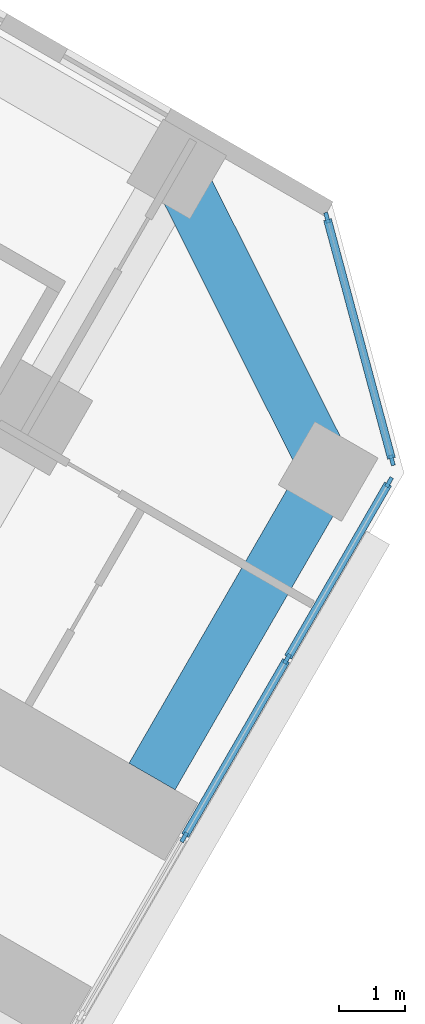
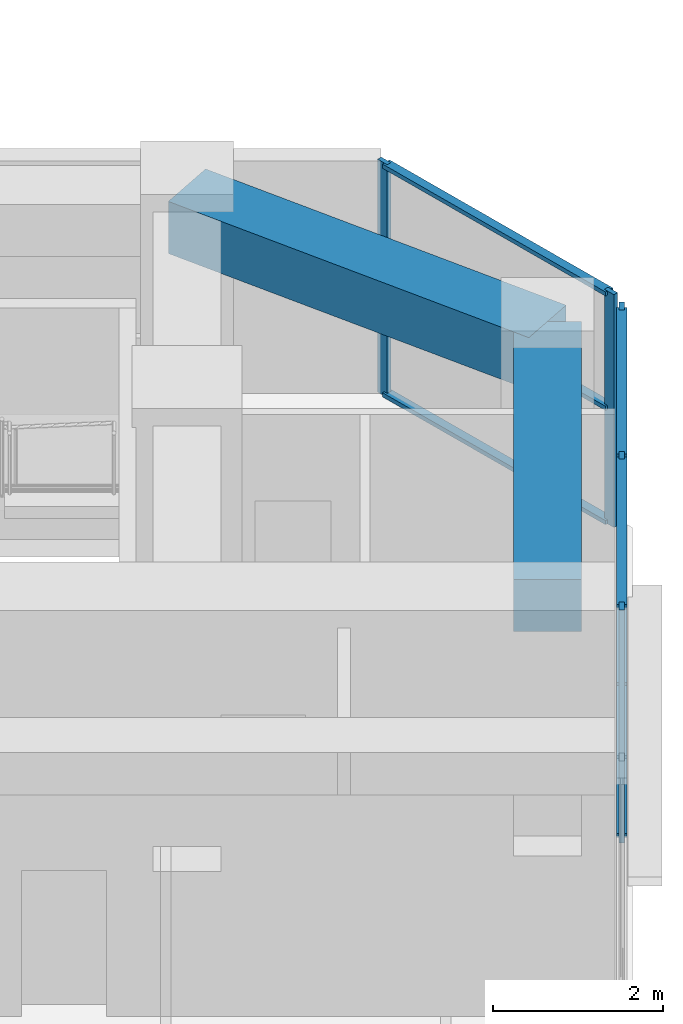
# One storey, part 8 of 21: 12 members, 2 beams, 2 elements without a shape of their own.
"""IFC4 building model written with IfcOpenShell, lengths in metres."""

from ifc_helpers import new_model, si_unit, direction, frame, origin, origin_2d, place, context, subcontext, project, spatial, rectangle, extrude, material, material_profile, profile_set, type_object, element, aggregate, save


model = new_model("IFC4")

# Units and contexts
model_context = context("Model", 3, precision=1e-05, world=origin(), true_north=direction((0.0, 1.0)))
body_context = subcontext(model_context, "Body", "Model", "MODEL_VIEW")
ifc_project = project(units=[si_unit("LENGTHUNIT", "METRE"), si_unit("AREAUNIT", "SQUARE_METRE"), si_unit("VOLUMEUNIT", "CUBIC_METRE"), si_unit("PLANEANGLEUNIT", "RADIAN"), si_unit("MASSUNIT", "GRAM", prefix="KILO")], contexts=[model_context])

# Site, building, storey
site_placement = place(None, origin())
site = spatial("IfcSite", under=ifc_project, at=site_placement, CompositionType="ELEMENT")
building_placement = place(site_placement, origin())
building = spatial("IfcBuilding", under=site, at=building_placement, Name="Kosmar Iwan School Tower", CompositionType="ELEMENT")
storey_placement = place(building_placement, frame((0.0, 0.0, 43.0)))
storey = spatial("IfcBuildingStorey", under=building, at=storey_placement, Name="L09", CompositionType="ELEMENT", Elevation=43.0)

# Curtain wall, members
ifc_material_1 = material(Name="Dark glass in black aluminium frame", Category="aluminium")
curtain_wall_type_1 = type_object("IfcCurtainWallType", Name="Tower curtain wall dark glass", PredefinedType="USERDEFINED", material=ifc_material_1)
curtain_wall_1_placement = place(storey_placement, origin())
curtain_wall_1 = element("IfcCurtainWall", 1, at=curtain_wall_1_placement, inside=storey, type_object=curtain_wall_type_1, Name="Curtain wall L09-F03", ObjectType="UNITISED CURTAIN WALL", PredefinedType="USERDEFINED")
ifc_material_2 = material(Name="Black anodised aluminium", Category="aluminium")
ifc_material_profile_1 = material_profile(ifc_material_2, rectangle(XDim=0.06005859375, YDim=0.159912109375, at=origin_2d()), Name="MULLION 60x160")
ifc_profile_set_1 = profile_set([ifc_material_profile_1], Name="Black anodised aluminium")
member_type_1 = type_object("IfcMemberType", Name="Mullion 60x160", PredefinedType="MULLION", material=ifc_profile_set_1)
member_1_placement = place(storey_placement, frame((30.631103515625, -15.8955078125, 0.0), z_axis=(0.0, 0.0, 1.0), x_axis=(-0.866025405329, 0.499999997325, 0.0)))
member_1 = element("IfcMember", 2, at=member_1_placement, type_object=member_type_1, Name="CW1 mullion 4", PredefinedType="MULLION", context=body_context, shape_type="SweptSolid", body=[
    extrude(rectangle(XDim=0.06005859375, YDim=0.159912109375, at=origin_2d()), origin(), (0.0, 0.0, 1.0), 3.35009765625),
])
member_2_placement = place(storey_placement, frame((32.1806640625, -13.21142578125, 0.0), z_axis=(0.0, 0.0, 1.0), x_axis=(-0.866025405329, 0.499999997325, 0.0)))
member_2 = element("IfcMember", 3, at=member_2_placement, type_object=member_type_1, Name="CW1 mullion 5", PredefinedType="MULLION", context=body_context, shape_type="SweptSolid", body=[
    extrude(rectangle(XDim=0.06005859375, YDim=0.159912109375, at=origin_2d()), origin(), (0.0, 0.0, 1.0), 3.35009765625),
])
member_3_placement = place(storey_placement, frame((33.71533203125, -10.55322265625, 0.0), z_axis=(0.0, 0.0, 1.0), x_axis=(-0.866025405329, 0.499999997325, 0.0)))
member_3 = element("IfcMember", 4, at=member_3_placement, type_object=member_type_1, Name="CW1 mullion 6", PredefinedType="MULLION", context=body_context, shape_type="SweptSolid", body=[
    extrude(rectangle(XDim=0.06005859375, YDim=0.159912109375, at=origin_2d()), origin(), (0.0, 0.0, 1.0), 3.35009765625),
])

ifc_material_3 = material(Name="Dark glass in black aluminium frame", Category="aluminium")
curtain_wall_type_2 = type_object("IfcCurtainWallType", Name="Chamfer curtain wall dark glass", PredefinedType="USERDEFINED", material=ifc_material_3)
curtain_wall_2_placement = place(storey_placement, origin())
curtain_wall_2 = element("IfcCurtainWall", 5, at=curtain_wall_2_placement, inside=storey, type_object=curtain_wall_type_2, Name="Curtain wall L09-F04", ObjectType="FACETED CURTAIN WALL", PredefinedType="USERDEFINED")
member_4_placement = place(storey_placement, frame((33.7587890625, -10.2236328125, 0.0), z_axis=(0.0, 0.0, 1.0), x_axis=(-0.965925875495, -0.258818861462, 0.0)))
member_4 = element("IfcMember", 6, at=member_4_placement, type_object=member_type_1, Name="CW2 mullion 1", PredefinedType="MULLION", context=body_context, shape_type="SweptSolid", body=[
    extrude(rectangle(XDim=0.06005859375, YDim=0.159912109375, at=origin_2d()), origin(), (0.0, 0.0, 1.0), 3.35009765625),
])
member_5_placement = place(storey_placement, frame((32.78076171875, -6.5732421875, 0.0), z_axis=(0.0, 0.0, 1.0), x_axis=(-0.965925875495, -0.258818861462, 0.0)))
member_5 = element("IfcMember", 7, at=member_5_placement, type_object=member_type_1, Name="CW2 mullion 2", PredefinedType="MULLION", context=body_context, shape_type="SweptSolid", body=[
    extrude(rectangle(XDim=0.06005859375, YDim=0.159912109375, at=origin_2d()), origin(), (0.0, 0.0, 1.0), 3.35009765625),
])

# Beams
ifc_material_4 = material(Name="Concrete C50/60", Category="concrete")
ifc_material_profile_2 = material_profile(ifc_material_4, rectangle(XDim=0.800048828125, YDim=0.75, at=origin_2d()), Name="RC 800x750")
ifc_profile_set_2 = profile_set([ifc_material_profile_2], Name="Concrete C50/60")
beam_type = type_object("IfcBeamType", Name="RC tip beam 800x750", PredefinedType="BEAM", material=ifc_profile_set_2)
beam_1_placement = place(storey_placement, frame((30.517822265625, -5.841552734375, 2.97509765625), z_axis=(0.44809604203, -0.893985423325, 0.0), x_axis=(0.893985423325, 0.44809604203, 0.0)))
element("IfcBeam", 8, at=beam_1_placement, inside=storey, type_object=beam_type, Name="Tip beam CL", PredefinedType="BEAM", context=body_context, shape_type="SweptSolid", body=[
    extrude(rectangle(XDim=0.800048828125, YDim=0.75, at=origin_2d()), origin(), (0.0, 0.0, 1.0), 5.08935546875),
])
beam_2_placement = place(storey_placement, frame((32.79833984375, -10.391357421875, 2.97509765625), z_axis=(-0.499973660256, -0.866040610509, 0.0), x_axis=(0.866040610509, -0.499973660256, 0.0)))
element("IfcBeam", 9, at=beam_2_placement, inside=storey, type_object=beam_type, Name="Tip beam CL to corridor wall", PredefinedType="BEAM", context=body_context, shape_type="SweptSolid", body=[
    extrude(rectangle(XDim=0.800048828125, YDim=0.75, at=origin_2d()), origin(), (0.0, 0.0, 1.0), 5.300048828125),
])

# Member
ifc_material_5 = material(Name="Black anodised aluminium", Category="aluminium")
ifc_material_profile_3 = material_profile(ifc_material_5, rectangle(XDim=0.1201171875, YDim=0.06005859375, at=origin_2d()), Name="TRANSOM 60x120")
ifc_profile_set_3 = profile_set([ifc_material_profile_3], Name="Black anodised aluminium")
member_type_2 = type_object("IfcMemberType", Name="Transom 60x120", PredefinedType="USERDEFINED", material=ifc_profile_set_3)
member_6_placement = place(storey_placement, frame((30.64599609375, -15.869384765625, 0.030029296875), z_axis=(0.500035348339, 0.866004994449, 0.0), x_axis=(-0.866004994449, 0.500035348339, 0.0)))
member_6 = element("IfcMember", 10, at=member_6_placement, type_object=member_type_2, Name="CW1 transom 4.1", ObjectType="TRANSOM", PredefinedType="USERDEFINED", context=body_context, shape_type="SweptSolid", body=[
    extrude(rectangle(XDim=0.1201171875, YDim=0.06005859375, at=origin_2d()), origin(), (0.0, 0.0, 1.0), 3.039306640625),
])

member_7_placement = place(storey_placement, frame((30.64599609375, -15.869384765625, 3.320068359375), z_axis=(0.500035348339, 0.866004994449, 0.0), x_axis=(-0.866004994449, 0.500035348339, 0.0)))
member_7 = element("IfcMember", 11, at=member_7_placement, type_object=member_type_2, Name="CW1 transom 4.2", ObjectType="TRANSOM", PredefinedType="USERDEFINED", context=body_context, shape_type="SweptSolid", body=[
    extrude(rectangle(XDim=0.1201171875, YDim=0.06005859375, at=origin_2d()), origin(), (0.0, 0.0, 1.0), 3.039306640625),
])

member_8_placement = place(storey_placement, frame((32.19580078125, -13.185302734375, 0.030029296875), z_axis=(0.500022102064, 0.866012642776, 0.0), x_axis=(-0.866012642776, 0.500022102064, 0.0)))
member_8 = element("IfcMember", 12, at=member_8_placement, type_object=member_type_2, Name="CW1 transom 5.1", ObjectType="TRANSOM", PredefinedType="USERDEFINED", context=body_context, shape_type="SweptSolid", body=[
    extrude(rectangle(XDim=0.1201171875, YDim=0.06005859375, at=origin_2d()), origin(), (0.0, 0.0, 1.0), 3.009033203125),
])

member_9_placement = place(storey_placement, frame((32.19580078125, -13.185302734375, 3.320068359375), z_axis=(0.500022102064, 0.866012642776, 0.0), x_axis=(-0.866012642776, 0.500022102064, 0.0)))
member_9 = element("IfcMember", 13, at=member_9_placement, type_object=member_type_2, Name="CW1 transom 5.2", ObjectType="TRANSOM", PredefinedType="USERDEFINED", context=body_context, shape_type="SweptSolid", body=[
    extrude(rectangle(XDim=0.1201171875, YDim=0.06005859375, at=origin_2d()), origin(), (0.0, 0.0, 1.0), 3.009033203125),
])

aggregate(curtain_wall_1, [member_1, member_2, member_3, member_6, member_7, member_8, member_9])

member_10_placement = place(storey_placement, frame((33.7509765625, -10.194580078125, 0.030029296875), z_axis=(-0.258843273983, 0.965919333854, 0.0), x_axis=(-0.965919333854, -0.258843273983, 0.0)))
member_10 = element("IfcMember", 14, at=member_10_placement, type_object=member_type_2, Name="CW2 transom 1.1", ObjectType="TRANSOM", PredefinedType="USERDEFINED", context=body_context, shape_type="SweptSolid", body=[
    extrude(rectangle(XDim=0.1201171875, YDim=0.06005859375, at=origin_2d()), origin(), (0.0, 0.0, 1.0), 3.718994140625),
])

member_11_placement = place(storey_placement, frame((33.7509765625, -10.194580078125, 1.675048828125), z_axis=(-0.258843273983, 0.965919333854, 0.0), x_axis=(-0.965919333854, -0.258843273983, 0.0)))
member_11 = element("IfcMember", 15, at=member_11_placement, type_object=member_type_2, Name="CW2 transom 1.2", ObjectType="TRANSOM", PredefinedType="USERDEFINED", context=body_context, shape_type="SweptSolid", body=[
    extrude(rectangle(XDim=0.1201171875, YDim=0.06005859375, at=origin_2d()), origin(), (0.0, 0.0, 1.0), 3.718994140625),
])

member_12_placement = place(storey_placement, frame((33.7509765625, -10.194580078125, 3.320068359375), z_axis=(-0.258843273983, 0.965919333854, 0.0), x_axis=(-0.965919333854, -0.258843273983, 0.0)))
member_12 = element("IfcMember", 16, at=member_12_placement, type_object=member_type_2, Name="CW2 transom 1.3", ObjectType="TRANSOM", PredefinedType="USERDEFINED", context=body_context, shape_type="SweptSolid", body=[
    extrude(rectangle(XDim=0.1201171875, YDim=0.06005859375, at=origin_2d()), origin(), (0.0, 0.0, 1.0), 3.718994140625),
])

aggregate(curtain_wall_2, [member_4, member_5, member_10, member_11, member_12])

save(model, "model.ifc")
